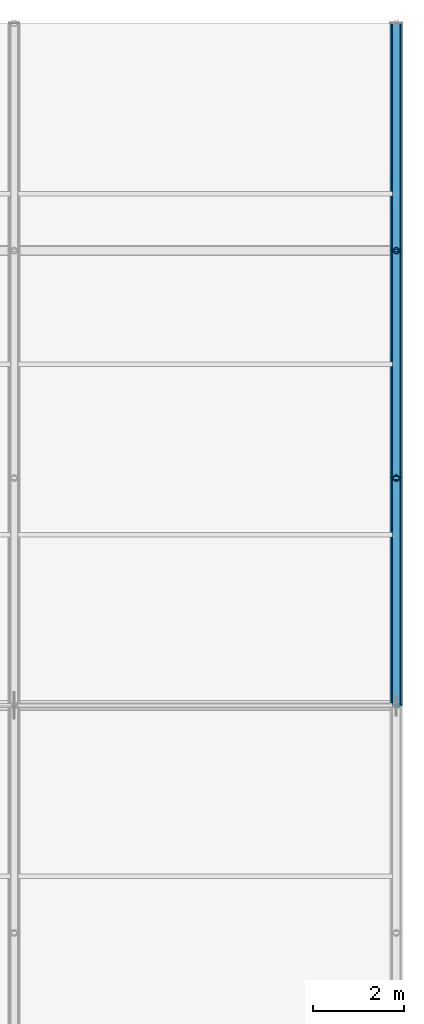
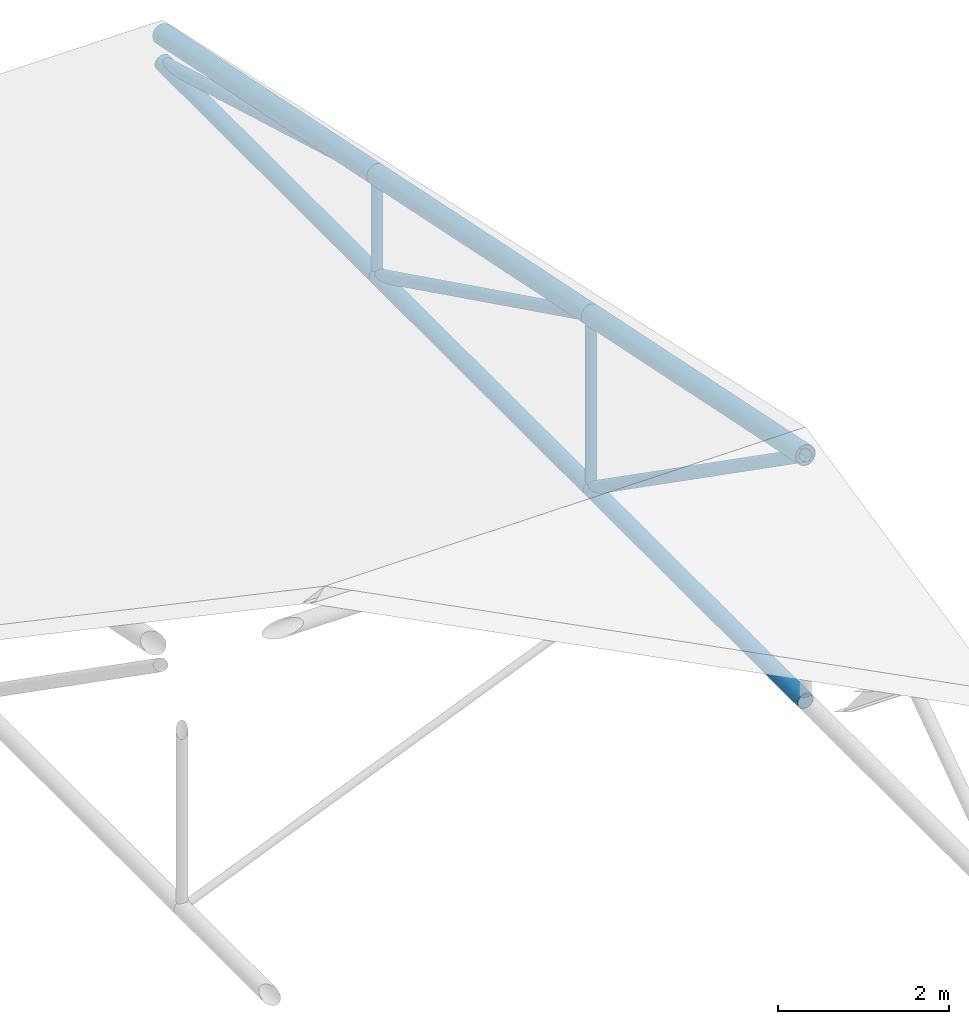
# One storey, part 116 of 194: 11 members.
"""IFC4 building model written with IfcOpenShell, lengths in metres."""

import ifcopenshell
import ifcopenshell.guid

model = None  # the IFC model being written
_history = None  # IfcOwnerHistory: only IFC2X3 demands one
_inside = {}  # id of a spatial element -> (the spatial element, [elements in it])
_under = {}  # id of a project, library or spatial element -> (it, [spatial elements below it])
_declared = {}  # id of a project -> (the project, [libraries it declares])
_typed = {}  # id of a type object -> (the type object, [elements of that type])
_made_of = {}  # id of a material, layer set ... -> (it, [elements and type objects made of it])


def new_model(schema):
    """Start an empty IFC model of exactly this schema.

    Asked for "IFC4X3", IfcOpenShell would pick the latest addendum, in which some entities
    have other attributes; the version numbers below select the first issue.
    IFC2X3 requires an IfcOwnerHistory on every rooted entity: one is made here for all.
    """
    global model, _history
    if schema == "IFC4X3":
        model = ifcopenshell.file(schema_version=(4, 3, 0, 0))
    else:
        model = ifcopenshell.file(schema=schema)
    _inside.clear()
    _under.clear()
    _declared.clear()
    _typed.clear()
    _made_of.clear()
    _history = None
    if model.schema == "IFC2X3":
        org = make("IfcOrganization", Name="unknown")
        user = make(
            "IfcPersonAndOrganization",
            ThePerson=make("IfcPerson", FamilyName="unknown"),
            TheOrganization=org,
        )
        app = make(
            "IfcApplication",
            ApplicationDeveloper=org,
            Version="unknown",
            ApplicationFullName="unknown",
            ApplicationIdentifier="unknown",
        )
        _history = make(
            "IfcOwnerHistory",
            OwningUser=user,
            OwningApplication=app,
            ChangeAction="ADDED",
            CreationDate=0,
        )
    return model


def make(cls, **values):
    """One entity of the class cls with the attributes given. An attribute that is None is left unset."""
    return model.create_entity(
        cls, **{name: value for name, value in values.items() if value is not None}
    )


def rooted(cls, **values):
    """An entity with a GlobalId (a new one), such as an element, a storey or a relation."""
    return make(cls, GlobalId=ifcopenshell.guid.new(), OwnerHistory=_history, **values)


def si_unit(unit_type, name, prefix=None):
    """IfcSIUnit, for example si_unit("LENGTHUNIT", "METRE", prefix="MILLI")."""
    return make("IfcSIUnit", UnitType=unit_type, Prefix=prefix, Name=name)


def assignment(units):
    """IfcUnitAssignment: the units of a project."""
    return None if units is None else make("IfcUnitAssignment", Units=units)


def point(xyz):
    """IfcCartesianPoint."""
    return None if xyz is None else make("IfcCartesianPoint", Coordinates=xyz)


def direction(xyz):
    """IfcDirection."""
    return None if xyz is None else make("IfcDirection", DirectionRatios=xyz)


def frame(location, z_axis=None, x_axis=None):
    """IfcAxis2Placement3D, a coordinate frame: its origin and axes. An axis left out is left unset."""
    return make(
        "IfcAxis2Placement3D",
        Location=point(location),
        Axis=direction(z_axis),
        RefDirection=direction(x_axis),
    )


def frame_2d(location, x_axis=None):
    """IfcAxis2Placement2D, a coordinate frame in the plane: its origin and x axis."""
    return make(
        "IfcAxis2Placement2D", Location=point(location), RefDirection=direction(x_axis)
    )


def origin():
    """The frame at (0, 0, 0) with its axes left unset."""
    return frame((0.0, 0.0, 0.0))


def origin_2d():
    """The frame at (0, 0) in the plane with its x axis left unset."""
    return frame_2d((0.0, 0.0))


def place(relative_to, where):
    """IfcLocalPlacement: puts the frame where relative to a parent placement (None: the world)."""
    return make(
        "IfcLocalPlacement", PlacementRelTo=relative_to, RelativePlacement=where
    )


def context(
    kind, dimensions, precision=None, world=None, true_north=None, identifier=None
):
    """IfcGeometricRepresentationContext, for example the 3D "Model" context."""
    return make(
        "IfcGeometricRepresentationContext",
        ContextIdentifier=identifier,
        ContextType=kind,
        CoordinateSpaceDimension=dimensions,
        Precision=precision,
        WorldCoordinateSystem=world,
        TrueNorth=true_north,
    )


def subcontext(parent, identifier, kind, view, scale=None):
    """IfcGeometricRepresentationSubContext, for example "Body" below "Model"."""
    return make(
        "IfcGeometricRepresentationSubContext",
        ContextIdentifier=identifier,
        ContextType=kind,
        ParentContext=parent,
        TargetScale=scale,
        TargetView=view,
    )


def project(units=None, contexts=None):
    """IfcProject with its units and contexts."""
    return rooted(
        "IfcProject",
        Name="project",
        RepresentationContexts=contexts,
        UnitsInContext=assignment(units),
    )


def spatial(cls, under=None, at=None, **own):
    """A site, building, storey or space (cls), placed at a placement, below another one or the project."""
    s = rooted(cls, ObjectPlacement=at, **own)
    if under is not None:
        _under.setdefault(under.id(), (under, []))[1].append(s)
    return s


def profile(cls, at=None, kind="AREA", **sizes):
    """A parametric profile (cls). Its sizes go by their IFC names, for example OverallWidth=200.0."""
    return make(cls, ProfileType=kind, Position=at, **sizes)


def hollow_circle(**sizes):
    """IfcCircleHollowProfileDef."""
    return profile("IfcCircleHollowProfileDef", **sizes)


def extrude(swept, where, along, depth):
    """IfcExtrudedAreaSolid: the profile swept, set in the frame where, extruded along a direction by depth."""
    return make(
        "IfcExtrudedAreaSolid",
        SweptArea=swept,
        Position=where,
        ExtrudedDirection=direction(along),
        Depth=depth,
    )


def shape(context_of_items, identifier, shape_type, items):
    """IfcShapeRepresentation: the items that make up one representation, for example the "Body"."""
    return make(
        "IfcShapeRepresentation",
        ContextOfItems=context_of_items,
        RepresentationIdentifier=identifier,
        RepresentationType=shape_type,
        Items=items,
    )


def material(Name=None, Category=None):
    """IfcMaterial."""
    return make("IfcMaterial", Name=Name, Category=Category)


def material_profile(
    of_material, cross_section, Name=None, Category=None, Priority=None
):
    """IfcMaterialProfile: a cross section and its material."""
    return make(
        "IfcMaterialProfile",
        Name=Name,
        Material=of_material,
        Profile=cross_section,
        Priority=Priority,
        Category=Category,
    )


def profile_set(profiles, Name=None, composite=None):
    """IfcMaterialProfileSet."""
    return make(
        "IfcMaterialProfileSet",
        Name=Name,
        MaterialProfiles=profiles,
        CompositeProfile=composite,
    )


def made_of(thing, what):
    """Note that an element or type object is made of a material, layer set ...; save() writes the relation."""
    if what is not None:
        _made_of.setdefault(what.id(), (what, []))[1].append(thing)
    return thing


def type_object(cls, material=None, **own):
    """A type object (cls), such as IfcWallType, which elements share."""
    return made_of(rooted(cls, **own), material)


def element(
    cls,
    number,
    at=None,
    inside=None,
    cuts=None,
    type_object=None,
    material=None,
    context=None,
    identifier="Body",
    shape_type=None,
    held_by="IfcProductDefinitionShape",
    body=None,
    shapes=None,
    **own,
):
    """One element of the class cls, such as IfcWall. Its Tag is "e" and its number.

    at: its placement. inside: the storey or other place that contains it. cuts: it is an
    opening in that element (IfcRelVoidsElement). A single representation is given by context,
    identifier, shape_type and body (its items); several are given by shapes. held_by: the class
    of the entity that holds the representations. save() writes the other relations.
    """
    e = rooted(cls, Tag="e%d" % number, ObjectPlacement=at, **own)
    if body is not None:
        shapes = [shape(context, identifier, shape_type, body)]
    if shapes is not None:
        e.Representation = make(held_by, Representations=shapes)
    if inside is not None:
        _inside.setdefault(inside.id(), (inside, []))[1].append(e)
    if cuts is not None:
        rooted(
            "IfcRelVoidsElement", RelatingBuildingElement=cuts, RelatedOpeningElement=e
        )
    if type_object is not None:
        _typed.setdefault(type_object.id(), (type_object, []))[1].append(e)
    return made_of(e, material)


def aggregate(whole, parts):
    """IfcRelAggregates: a whole, such as a stair, and the parts it consists of."""
    return rooted("IfcRelAggregates", RelatingObject=whole, RelatedObjects=parts)


def save(model, path):
    """Write the relations noted so far, then the file.

    IfcRelAggregates (storeys below a building ...), IfcRelContainedInSpatialStructure (elements
    in a storey), IfcRelDefinesByType, IfcRelAssociatesMaterial and IfcRelDeclares: one each for
    every whole, place, type object, material and project.
    """
    for whole, parts in _under.values():
        aggregate(whole, parts)
    for where, things in _inside.values():
        rooted(
            "IfcRelContainedInSpatialStructure",
            RelatedElements=things,
            RelatingStructure=where,
        )
    for kind, things in _typed.values():
        rooted("IfcRelDefinesByType", RelatedObjects=things, RelatingType=kind)
    for what, things in _made_of.values():
        rooted("IfcRelAssociatesMaterial", RelatedObjects=things, RelatingMaterial=what)
    for by, libraries in _declared.values():
        rooted("IfcRelDeclares", RelatingContext=by, RelatedDefinitions=libraries)
    model.write(path)


model = new_model("IFC4")

# Units and contexts
model_context = context("Model", 3, precision=1e-05, world=origin(), true_north=direction((0.0, 1.0)))
body_context = subcontext(model_context, "Body", "Model", "MODEL_VIEW")
ifc_project = project(units=[si_unit("LENGTHUNIT", "METRE"), si_unit("AREAUNIT", "SQUARE_METRE"), si_unit("VOLUMEUNIT", "CUBIC_METRE"), si_unit("PLANEANGLEUNIT", "RADIAN"), si_unit("MASSUNIT", "GRAM", prefix="KILO")], contexts=[model_context])

# Site, building, storey
site_placement = place(None, origin())
site = spatial("IfcSite", under=ifc_project, at=site_placement, CompositionType="ELEMENT")
building_placement = place(site_placement, origin())
building = spatial("IfcBuilding", under=site, at=building_placement, Name="Kazenagashi Tramway Depot", CompositionType="ELEMENT")
storey_placement = place(building_placement, frame((0.0, 0.0, 23.7)))
storey = spatial("IfcBuildingStorey", under=building, at=storey_placement, Name="ROOF", CompositionType="ELEMENT", Elevation=23.7)

# Members
ifc_material = material(Name="Steel STK490", Category="steel")
ifc_material_profile_1 = material_profile(ifc_material, hollow_circle(Radius=0.1337, WallThickness=0.0093, at=origin_2d()), Name="CHS-267.4x9.3")
ifc_profile_set_1 = profile_set([ifc_material_profile_1], Name="Steel STK490")
member_type_1 = type_object("IfcMemberType", Name="TC-01", PredefinedType="CHORD", material=ifc_profile_set_1)
member_1_placement = place(storey_placement, frame((196.0, 115.0, -10.6), z_axis=(0.0, 0.979317999984, -0.202327098797), x_axis=(-1.0, 0.0, 0.0)))
element("IfcMember", 1, at=member_1_placement, inside=storey, type_object=member_type_1, Name="Tubular Space Frame TC-01 MEM-1133", PredefinedType="CHORD", context=body_context, shape_type="SweptSolid", body=[
    extrude(hollow_circle(Radius=0.1337, WallThickness=0.0093, at=origin_2d()), origin(), (0.0, 0.0, 1.0), 5.105594),
])
member_2_placement = place(storey_placement, frame((196.0, 120.0, -11.633), z_axis=(0.0, 0.979279174591, -0.202514933305), x_axis=(-1.0, 0.0, 0.0)))
element("IfcMember", 2, at=member_2_placement, inside=storey, type_object=member_type_1, Name="Tubular Space Frame TC-01 MEM-1136", PredefinedType="CHORD", context=body_context, shape_type="SweptSolid", body=[
    extrude(hollow_circle(Radius=0.1337, WallThickness=0.0093, at=origin_2d()), origin(), (0.0, 0.0, 1.0), 5.105796),
])
member_3_placement = place(storey_placement, frame((196.0, 125.0, -12.667), z_axis=(0.0, 0.979317999984, -0.202327098797), x_axis=(-1.0, 0.0, 0.0)))
element("IfcMember", 3, at=member_3_placement, inside=storey, type_object=member_type_1, Name="Tubular Space Frame TC-01 MEM-1139", PredefinedType="CHORD", context=body_context, shape_type="SweptSolid", body=[
    extrude(hollow_circle(Radius=0.1337, WallThickness=0.0093, at=origin_2d()), origin(), (0.0, 0.0, 1.0), 5.105594),
])
ifc_material_profile_2 = material_profile(ifc_material, hollow_circle(Radius=0.10815, WallThickness=0.0082, at=origin_2d()), Name="CHS-216.3x8.2")
ifc_profile_set_2 = profile_set([ifc_material_profile_2], Name="Steel STK490")
member_type_2 = type_object("IfcMemberType", Name="TC-02", PredefinedType="CHORD", material=ifc_profile_set_2)
for number, where, z_axis, x_axis, name in (
    (4, (196.0, 115.0, -14.1), (0.0, 1.0, 0.0), (-1.0, 0.0, 0.0), "Tubular Space Frame TC-02 MEM-1134"),
    (5, (196.0, 120.0, -14.1), (0.0, 1.0, 0.0), (-1.0, 0.0, 0.0), "Tubular Space Frame TC-02 MEM-1137"),
    (6, (196.0, 125.0, -14.1), (0.0, 1.0, 0.0), (-1.0, 0.0, 0.0), "Tubular Space Frame TC-02 MEM-1140"),
):
    element("IfcMember", number, at=place(storey_placement, frame(where, z_axis=z_axis, x_axis=x_axis)), inside=storey, type_object=member_type_2, Name=name, PredefinedType="CHORD", context=body_context, shape_type="SweptSolid", body=[
        extrude(hollow_circle(Radius=0.10815, WallThickness=0.0082, at=origin_2d()), origin(), (0.0, 0.0, 1.0), 5.0),
    ])
ifc_material_profile_3 = material_profile(ifc_material, hollow_circle(Radius=0.0826, WallThickness=0.0071, at=origin_2d()), Name="CHS-165.2x7.1")
ifc_profile_set_3 = profile_set([ifc_material_profile_3], Name="Steel STK490")
member_type_3 = type_object("IfcMemberType", Name="TS-01", PredefinedType="STRUT", material=ifc_profile_set_3)
member_4_placement = place(storey_placement, frame((196.0, 115.0, -10.6), z_axis=(0.0, 0.819231920519, -0.573462344363), x_axis=(-1.0, 0.0, 0.0)))
element("IfcMember", 7, at=member_4_placement, inside=storey, type_object=member_type_3, Name="Tubular Space Frame TS-01 MEM-1135", PredefinedType="STRUT", context=body_context, shape_type="SweptSolid", body=[
    extrude(hollow_circle(Radius=0.0826, WallThickness=0.0071, at=origin_2d()), origin(), (0.0, 0.0, 1.0), 6.103278),
])
member_5_placement = place(storey_placement, frame((196.0, 120.0, -11.633), z_axis=(0.0, 0.896782162482, -0.442472318969), x_axis=(-1.0, 0.0, 0.0)))
element("IfcMember", 8, at=member_5_placement, inside=storey, type_object=member_type_3, Name="Tubular Space Frame TS-01 MEM-1138", PredefinedType="STRUT", context=body_context, shape_type="SweptSolid", body=[
    extrude(hollow_circle(Radius=0.0826, WallThickness=0.0071, at=origin_2d()), origin(), (0.0, 0.0, 1.0), 5.57549),
])
member_6_placement = place(storey_placement, frame((196.0, 125.0, -12.667), z_axis=(0.0, 0.961298717795, -0.27550821252), x_axis=(-1.0, 0.0, 0.0)))
element("IfcMember", 9, at=member_6_placement, inside=storey, type_object=member_type_3, Name="Tubular Space Frame TS-01 MEM-1141", PredefinedType="STRUT", context=body_context, shape_type="SweptSolid", body=[
    extrude(hollow_circle(Radius=0.0826, WallThickness=0.0071, at=origin_2d()), origin(), (0.0, 0.0, 1.0), 5.201297),
])
ifc_material_profile_4 = material_profile(ifc_material, hollow_circle(Radius=0.0699, WallThickness=0.0066, at=origin_2d()), Name="CHS-139.8x6.6")
ifc_profile_set_4 = profile_set([ifc_material_profile_4], Name="Steel STK490")
member_type_4 = type_object("IfcMemberType", Name="TS-02", PredefinedType="STRUT", material=ifc_profile_set_4)
member_7_placement = place(storey_placement, frame((196.0, 120.0, -14.1), z_axis=(0.0, 0.0, 1.0), x_axis=(1.0, 0.0, 0.0)))
element("IfcMember", 10, at=member_7_placement, inside=storey, type_object=member_type_4, Name="Tubular Space Frame TS-02 MEM-1145", PredefinedType="STRUT", context=body_context, shape_type="SweptSolid", body=[
    extrude(hollow_circle(Radius=0.0699, WallThickness=0.0066, at=origin_2d()), origin(), (0.0, 0.0, 1.0), 2.467),
])
member_8_placement = place(storey_placement, frame((196.0, 125.0, -14.1), z_axis=(0.0, 0.0, 1.0), x_axis=(1.0, 0.0, 0.0)))
element("IfcMember", 11, at=member_8_placement, inside=storey, type_object=member_type_4, Name="Tubular Space Frame TS-02 MEM-1146", PredefinedType="STRUT", context=body_context, shape_type="SweptSolid", body=[
    extrude(hollow_circle(Radius=0.0699, WallThickness=0.0066, at=origin_2d()), origin(), (0.0, 0.0, 1.0), 1.433),
])

save(model, "model.ifc")
